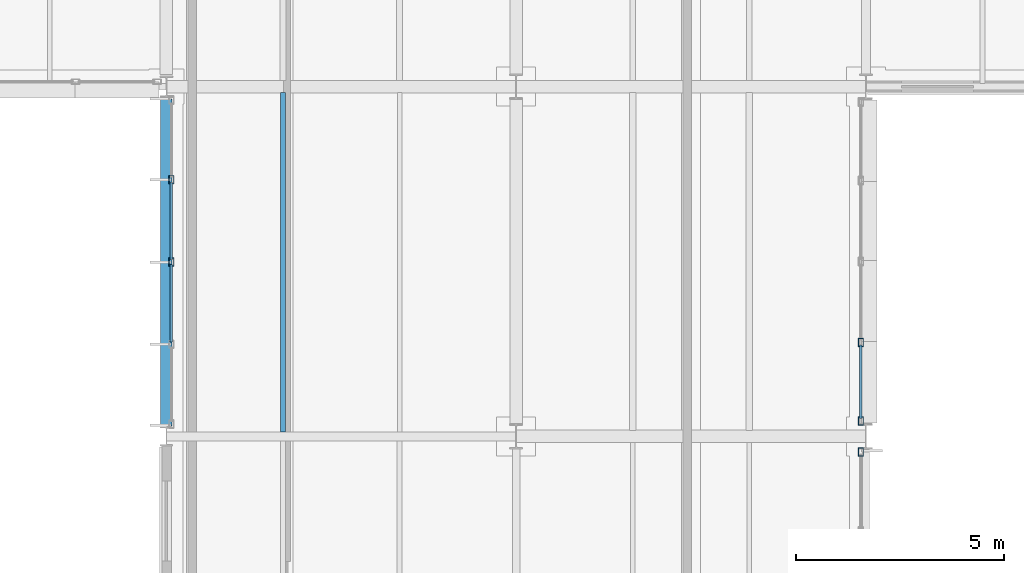
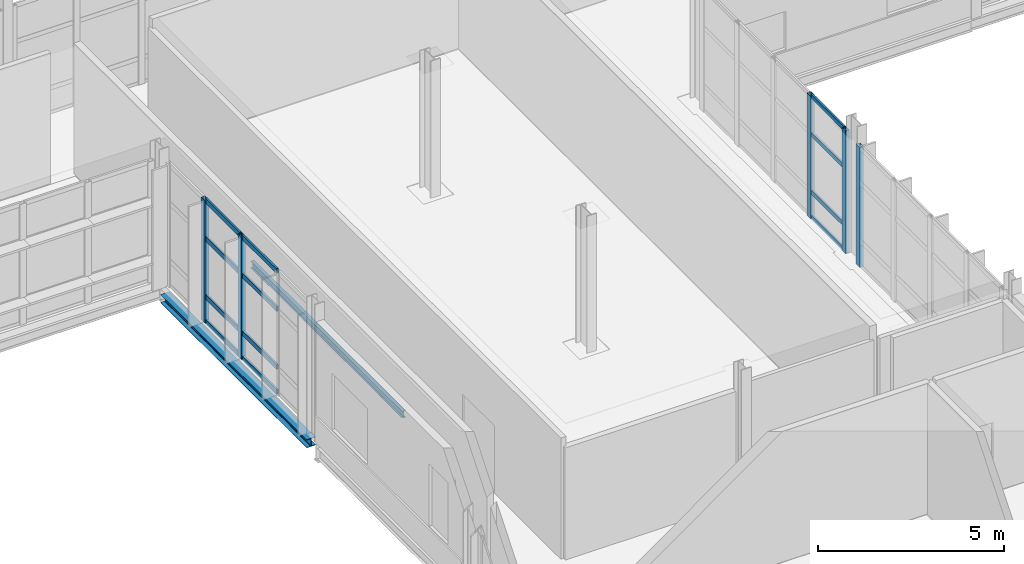
# One storey, part 55 of 129: 17 members, 2 beams, 3 elements without a shape of their own.
"""IFC4 building model written with IfcOpenShell, lengths in metres."""

from ifc_helpers import new_model, si_unit, direction, frame, origin, origin_2d, place, context, subcontext, project, spatial, hollow_rectangle, i_section, extrude, material, material_profile, profile_set, type_object, element, aggregate, save


model = new_model("IFC4")

# Units and contexts
model_context = context("Model", 3, precision=1e-05, world=origin(), true_north=direction((0.0, 1.0)))
body_context = subcontext(model_context, "Body", "Model", "MODEL_VIEW")
ifc_project = project(units=[si_unit("LENGTHUNIT", "METRE"), si_unit("AREAUNIT", "SQUARE_METRE"), si_unit("VOLUMEUNIT", "CUBIC_METRE"), si_unit("PLANEANGLEUNIT", "RADIAN"), si_unit("MASSUNIT", "GRAM", prefix="KILO")], contexts=[model_context])

# Site, building, storey
site_placement = place(None, origin())
site = spatial("IfcSite", under=ifc_project, at=site_placement, CompositionType="ELEMENT")
building_placement = place(site_placement, origin())
building = spatial("IfcBuilding", under=site, at=building_placement, Name="Mersafa Astral City Hall", CompositionType="ELEMENT")
storey_placement = place(building_placement, frame((0.0, 0.0, 5.39990234375)))
storey = spatial("IfcBuildingStorey", under=building, at=storey_placement, Name="L01", CompositionType="ELEMENT", Elevation=5.39990234375)

# Curtain wall, member
ifc_material_1 = material(Name="Anodised bronze aluminium framing", Category="aluminium")
curtain_wall_type_1 = type_object("IfcCurtainWallType", Name="ENV-CW-5", PredefinedType="USERDEFINED", material=ifc_material_1)
curtain_wall_1_placement = place(storey_placement, origin())
curtain_wall_1 = element("IfcCurtainWall", 1, at=curtain_wall_1_placement, inside=storey, type_object=curtain_wall_type_1, Name="L01 Unitised solar curtain wall 58", ObjectType="UNITISED CURTAIN WALL", PredefinedType="USERDEFINED")
ifc_material_profile_1 = material_profile(ifc_material_1, hollow_rectangle(XDim=0.1201171875, YDim=0.199951171875, WallThickness=0.008056640625, at=origin_2d()), Name="RHS 120x200x8")
ifc_profile_set_1 = profile_set([ifc_material_profile_1], Name="Anodised bronze aluminium framing")
member_type_1 = type_object("IfcMemberType", Name="ENV-CW-MUL-2", PredefinedType="MULLION", material=ifc_profile_set_1)
member_1_placement = place(storey_placement, frame((117.47998046875, 108.827880859375, -0.001953125), z_axis=(0.0, 0.0, 1.0), x_axis=(-1.0, 0.0, 0.0)))
member_1 = element("IfcMember", 2, at=member_1_placement, type_object=member_type_1, Name="CW-5 mullion 5", PredefinedType="MULLION", context=body_context, shape_type="SweptSolid", body=[
    extrude(hollow_rectangle(XDim=0.1201171875, YDim=0.199951171875, WallThickness=0.008056640625, at=origin_2d()), origin(), (0.0, 0.0, 1.0), 3.93896484375),
])
aggregate(curtain_wall_1, [member_1])

# Curtain wall, members
curtain_wall_type_2 = type_object("IfcCurtainWallType", Name="ENV-CW-6", PredefinedType="USERDEFINED", material=ifc_material_1)
curtain_wall_2_placement = place(storey_placement, origin())
curtain_wall_2 = element("IfcCurtainWall", 3, at=curtain_wall_2_placement, inside=storey, type_object=curtain_wall_type_2, Name="L01 Unitised solar curtain wall 59", ObjectType="UNITISED CURTAIN WALL", PredefinedType="USERDEFINED")
member_2_placement = place(storey_placement, frame((117.47998046875, 109.572021484375, -0.001953125), z_axis=(0.0, 0.0, 1.0), x_axis=(-1.0, 0.0, 0.0)))
member_2 = element("IfcMember", 4, at=member_2_placement, type_object=member_type_1, Name="CW-6 mullion 1", PredefinedType="MULLION", context=body_context, shape_type="SweptSolid", body=[
    extrude(hollow_rectangle(XDim=0.1201171875, YDim=0.199951171875, WallThickness=0.008056640625, at=origin_2d()), origin(), (0.0, 0.0, 1.0), 4.029052734375),
])
member_3_placement = place(storey_placement, frame((117.47998046875, 111.4560546875, -0.001953125), z_axis=(0.0, 0.0, 1.0), x_axis=(-1.0, 0.0, 0.0)))
member_3 = element("IfcMember", 5, at=member_3_placement, type_object=member_type_1, Name="CW-6 mullion 2", PredefinedType="MULLION", context=body_context, shape_type="SweptSolid", body=[
    extrude(hollow_rectangle(XDim=0.1201171875, YDim=0.199951171875, WallThickness=0.008056640625, at=origin_2d()), origin(), (0.0, 0.0, 1.0), 4.029052734375),
])

curtain_wall_type_3 = type_object("IfcCurtainWallType", Name="ENV-CW-1", PredefinedType="USERDEFINED", material=ifc_material_1)
curtain_wall_3_placement = place(storey_placement, origin())
curtain_wall_3 = element("IfcCurtainWall", 6, at=curtain_wall_3_placement, inside=storey, type_object=curtain_wall_type_3, Name="L01 Unitised solar curtain wall 90", ObjectType="UNITISED CURTAIN WALL", PredefinedType="USERDEFINED")
member_4_placement = place(storey_placement, frame((100.919921875, 115.36279296875, -0.001953125), z_axis=(0.0, 0.0, 1.0), x_axis=(1.0, 0.0, 0.0)))
member_4 = element("IfcMember", 7, at=member_4_placement, type_object=member_type_1, Name="CW-1 mullion 2", PredefinedType="MULLION", context=body_context, shape_type="SweptSolid", body=[
    extrude(hollow_rectangle(XDim=0.1201171875, YDim=0.199951171875, WallThickness=0.008056640625, at=origin_2d()), origin(), (0.0, 0.0, 1.0), 4.029052734375),
])
member_5_placement = place(storey_placement, frame((100.919921875, 113.387451171875, -0.001953125), z_axis=(0.0, 0.0, 1.0), x_axis=(1.0, 0.0, 0.0)))
member_5 = element("IfcMember", 8, at=member_5_placement, type_object=member_type_1, Name="CW-1 mullion 3", PredefinedType="MULLION", context=body_context, shape_type="SweptSolid", body=[
    extrude(hollow_rectangle(XDim=0.1201171875, YDim=0.199951171875, WallThickness=0.008056640625, at=origin_2d()), origin(), (0.0, 0.0, 1.0), 4.029052734375),
])

# Member
ifc_material_profile_2 = material_profile(ifc_material_1, hollow_rectangle(XDim=0.06005859375, YDim=0.139892578125, WallThickness=0.00390625, at=origin_2d()), Name="RHS 60x140x4")
ifc_profile_set_2 = profile_set([ifc_material_profile_2], Name="Anodised bronze aluminium framing")
member_type_2 = type_object("IfcMemberType", Name="ENV-CW-TRN-1", PredefinedType="USERDEFINED", material=ifc_profile_set_2)
member_6_placement = place(storey_placement, frame((117.47998046875, 109.632080078125, 0.028076171875), z_axis=(0.0, 1.0, 0.0), x_axis=(-1.0, 0.0, 0.0)))
member_6 = element("IfcMember", 9, at=member_6_placement, type_object=member_type_2, Name="CW-6 transom 1.1", ObjectType="TRANSOM", PredefinedType="USERDEFINED", context=body_context, shape_type="SweptSolid", body=[
    extrude(hollow_rectangle(XDim=0.06005859375, YDim=0.139892578125, WallThickness=0.00390625, at=origin_2d()), origin(), (0.0, 0.0, 1.0), 1.763916015625),
])

member_7_placement = place(storey_placement, frame((117.47998046875, 109.632080078125, 0.85009765625), z_axis=(0.0, 1.0, 0.0), x_axis=(-1.0, 0.0, 0.0)))
member_7 = element("IfcMember", 10, at=member_7_placement, type_object=member_type_2, Name="CW-6 transom 1.2", ObjectType="TRANSOM", PredefinedType="USERDEFINED", context=body_context, shape_type="SweptSolid", body=[
    extrude(hollow_rectangle(XDim=0.06005859375, YDim=0.139892578125, WallThickness=0.00390625, at=origin_2d()), origin(), (0.0, 0.0, 1.0), 1.763916015625),
])

member_8_placement = place(storey_placement, frame((117.47998046875, 109.632080078125, 2.75), z_axis=(0.0, 1.0, 0.0), x_axis=(-1.0, 0.0, 0.0)))
member_8 = element("IfcMember", 11, at=member_8_placement, type_object=member_type_2, Name="CW-6 transom 1.3", ObjectType="TRANSOM", PredefinedType="USERDEFINED", context=body_context, shape_type="SweptSolid", body=[
    extrude(hollow_rectangle(XDim=0.06005859375, YDim=0.139892578125, WallThickness=0.00390625, at=origin_2d()), origin(), (0.0, 0.0, 1.0), 1.763916015625),
])

member_9_placement = place(storey_placement, frame((117.47998046875, 109.632080078125, 3.9970703125), z_axis=(0.0, 1.0, 0.0), x_axis=(-1.0, 0.0, 0.0)))
member_9 = element("IfcMember", 12, at=member_9_placement, type_object=member_type_2, Name="CW-6 transom 1.4", ObjectType="TRANSOM", PredefinedType="USERDEFINED", context=body_context, shape_type="SweptSolid", body=[
    extrude(hollow_rectangle(XDim=0.06005859375, YDim=0.139892578125, WallThickness=0.00390625, at=origin_2d()), origin(), (0.0, 0.0, 1.0), 1.763916015625),
])

aggregate(curtain_wall_2, [member_2, member_3, member_6, member_7, member_8, member_9])

ifc_material_profile_3 = material_profile(ifc_material_1, hollow_rectangle(XDim=0.06005859375, YDim=0.159912109375, WallThickness=0.00390625, at=origin_2d()), Name="RHS 60x160x4")
ifc_profile_set_3 = profile_set([ifc_material_profile_3], Name="Anodised bronze aluminium framing")
member_type_3 = type_object("IfcMemberType", Name="ENV-CW-TRN-2", PredefinedType="USERDEFINED", material=ifc_profile_set_3)
member_10_placement = place(storey_placement, frame((100.919921875, 115.302734375, 0.028076171875), z_axis=(0.0, -1.0, 0.0), x_axis=(1.0, 0.0, 0.0)))
member_10 = element("IfcMember", 13, at=member_10_placement, type_object=member_type_3, Name="CW-1 transom 2.1", ObjectType="TRANSOM", PredefinedType="USERDEFINED", context=body_context, shape_type="SweptSolid", body=[
    extrude(hollow_rectangle(XDim=0.06005859375, YDim=0.159912109375, WallThickness=0.00390625, at=origin_2d()), origin(), (0.0, 0.0, 1.0), 1.855224609375),
])

member_11_placement = place(storey_placement, frame((100.919921875, 115.302734375, 0.85009765625), z_axis=(0.0, -1.0, 0.0), x_axis=(1.0, 0.0, 0.0)))
member_11 = element("IfcMember", 14, at=member_11_placement, type_object=member_type_3, Name="CW-1 transom 2.2", ObjectType="TRANSOM", PredefinedType="USERDEFINED", context=body_context, shape_type="SweptSolid", body=[
    extrude(hollow_rectangle(XDim=0.06005859375, YDim=0.159912109375, WallThickness=0.00390625, at=origin_2d()), origin(), (0.0, 0.0, 1.0), 1.855224609375),
])

member_12_placement = place(storey_placement, frame((100.919921875, 115.302734375, 2.75), z_axis=(0.0, -1.0, 0.0), x_axis=(1.0, 0.0, 0.0)))
member_12 = element("IfcMember", 15, at=member_12_placement, type_object=member_type_3, Name="CW-1 transom 2.3", ObjectType="TRANSOM", PredefinedType="USERDEFINED", context=body_context, shape_type="SweptSolid", body=[
    extrude(hollow_rectangle(XDim=0.06005859375, YDim=0.159912109375, WallThickness=0.00390625, at=origin_2d()), origin(), (0.0, 0.0, 1.0), 1.855224609375),
])

member_13_placement = place(storey_placement, frame((100.919921875, 115.302734375, 3.9970703125), z_axis=(0.0, -1.0, 0.0), x_axis=(1.0, 0.0, 0.0)))
member_13 = element("IfcMember", 16, at=member_13_placement, type_object=member_type_3, Name="CW-1 transom 2.4", ObjectType="TRANSOM", PredefinedType="USERDEFINED", context=body_context, shape_type="SweptSolid", body=[
    extrude(hollow_rectangle(XDim=0.06005859375, YDim=0.159912109375, WallThickness=0.00390625, at=origin_2d()), origin(), (0.0, 0.0, 1.0), 1.855224609375),
])

member_14_placement = place(storey_placement, frame((100.919921875, 113.327392578125, 0.028076171875), z_axis=(0.0, -1.0, 0.0), x_axis=(1.0, 0.0, 0.0)))
member_14 = element("IfcMember", 17, at=member_14_placement, type_object=member_type_3, Name="CW-1 transom 3.1", ObjectType="TRANSOM", PredefinedType="USERDEFINED", context=body_context, shape_type="SweptSolid", body=[
    extrude(hollow_rectangle(XDim=0.06005859375, YDim=0.159912109375, WallThickness=0.00390625, at=origin_2d()), origin(), (0.0, 0.0, 1.0), 1.855224609375),
])

member_15_placement = place(storey_placement, frame((100.919921875, 113.327392578125, 0.85009765625), z_axis=(0.0, -1.0, 0.0), x_axis=(1.0, 0.0, 0.0)))
member_15 = element("IfcMember", 18, at=member_15_placement, type_object=member_type_3, Name="CW-1 transom 3.2", ObjectType="TRANSOM", PredefinedType="USERDEFINED", context=body_context, shape_type="SweptSolid", body=[
    extrude(hollow_rectangle(XDim=0.06005859375, YDim=0.159912109375, WallThickness=0.00390625, at=origin_2d()), origin(), (0.0, 0.0, 1.0), 1.855224609375),
])

member_16_placement = place(storey_placement, frame((100.919921875, 113.327392578125, 2.75), z_axis=(0.0, -1.0, 0.0), x_axis=(1.0, 0.0, 0.0)))
member_16 = element("IfcMember", 19, at=member_16_placement, type_object=member_type_3, Name="CW-1 transom 3.3", ObjectType="TRANSOM", PredefinedType="USERDEFINED", context=body_context, shape_type="SweptSolid", body=[
    extrude(hollow_rectangle(XDim=0.06005859375, YDim=0.159912109375, WallThickness=0.00390625, at=origin_2d()), origin(), (0.0, 0.0, 1.0), 1.855224609375),
])

member_17_placement = place(storey_placement, frame((100.919921875, 113.327392578125, 3.9970703125), z_axis=(0.0, -1.0, 0.0), x_axis=(1.0, 0.0, 0.0)))
member_17 = element("IfcMember", 20, at=member_17_placement, type_object=member_type_3, Name="CW-1 transom 3.4", ObjectType="TRANSOM", PredefinedType="USERDEFINED", context=body_context, shape_type="SweptSolid", body=[
    extrude(hollow_rectangle(XDim=0.06005859375, YDim=0.159912109375, WallThickness=0.00390625, at=origin_2d()), origin(), (0.0, 0.0, 1.0), 1.855224609375),
])

aggregate(curtain_wall_3, [member_4, member_5, member_10, member_11, member_12, member_13, member_14, member_15, member_16, member_17])

# Beams
ifc_material_2 = material(Name="Steel S355", Category="steel")
ifc_material_profile_4 = material_profile(ifc_material_2, i_section(OverallWidth=0.110107421875, OverallDepth=0.219970703125, WebThickness=0.005859375, FlangeThickness=0.00927734375, FilletRadius=0.011962890625, at=origin_2d()), Name="IPE 220")
ifc_profile_set_4 = profile_set([ifc_material_profile_4], Name="Steel S355")
beam_type_1 = type_object("IfcBeamType", Name="STR-BM-JOIST-IPE220", PredefinedType="JOIST", material=ifc_profile_set_4)
beam_1_placement = place(storey_placement, frame((103.60009765625, 109.304931640625, -0.3349609375), z_axis=(0.0, 1.0, 0.0), x_axis=(-1.0, 0.0, 0.0)))
element("IfcBeam", 21, at=beam_1_placement, inside=storey, type_object=beam_type_1, Name="L01 Composite secondary floor joist 302", PredefinedType="JOIST", context=body_context, shape_type="SweptSolid", body=[
    extrude(i_section(OverallWidth=0.110107421875, OverallDepth=0.219970703125, WebThickness=0.005859375, FlangeThickness=0.00927734375, FilletRadius=0.011962890625, at=origin_2d()), origin(), (0.0, 0.0, 1.0), 8.150146484375),
])
ifc_material_profile_5 = material_profile(ifc_material_2, i_section(OverallWidth=0.280029296875, OverallDepth=0.27001953125, WebThickness=0.008056640625, FlangeThickness=0.012939453125, FilletRadius=0.02392578125, at=origin_2d()), Name="HEA 280")
ifc_profile_set_5 = profile_set([ifc_material_profile_5], Name="Steel S355")
beam_type_2 = type_object("IfcBeamType", Name="STR-BM-SPANDREL-HEA280", PredefinedType="SPANDREL", material=ifc_profile_set_5)
beam_2_placement = place(storey_placement, frame((100.800048828125, 109.445068359375, -0.35986328125), z_axis=(0.0, 1.0, 0.0), x_axis=(-1.0, 0.0, 0.0)))
element("IfcBeam", 22, at=beam_2_placement, inside=storey, type_object=beam_type_2, Name="L01 Primary girder Y 12-13", PredefinedType="SPANDREL", context=body_context, shape_type="SweptSolid", body=[
    extrude(i_section(OverallWidth=0.280029296875, OverallDepth=0.27001953125, WebThickness=0.008056640625, FlangeThickness=0.012939453125, FilletRadius=0.02392578125, at=origin_2d()), origin(), (0.0, 0.0, 1.0), 7.85986328125),
])

save(model, "model.ifc")
